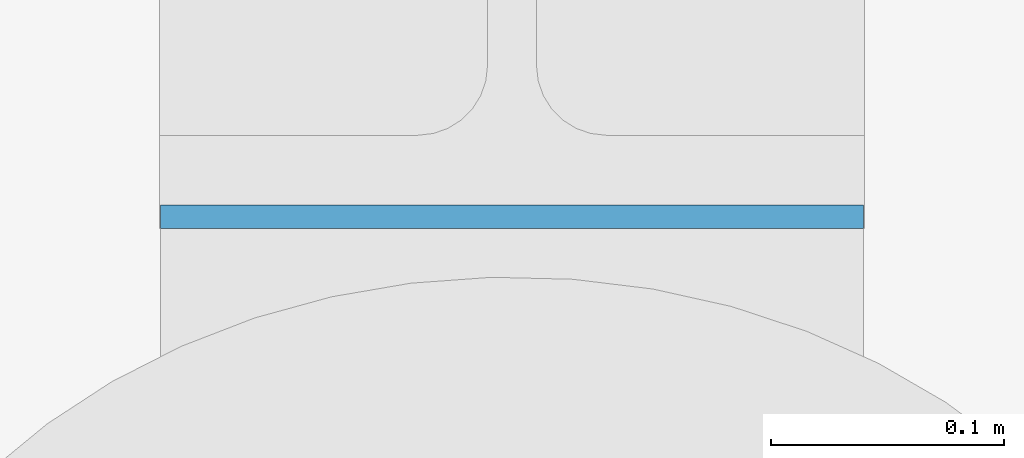
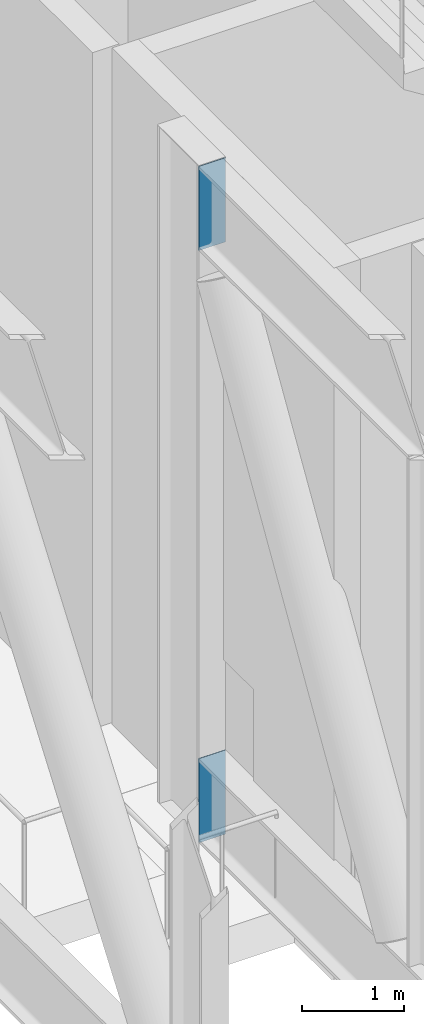
# One storey, part 16 of 33: 2 discrete accessories.
"""IFC4 building model written with IfcOpenShell, lengths in metres."""

from ifc_helpers import new_model, si_unit, direction, frame, origin, origin_2d, place, context, subcontext, project, spatial, rectangle, extrude, material, material_profile, profile_set, type_object, element, save


model = new_model("IFC4")

# Units and contexts
model_context = context("Model", 3, precision=1e-05, world=origin(), true_north=direction((0.0, 1.0)))
body_context = subcontext(model_context, "Body", "Model", "MODEL_VIEW")
ifc_project = project(units=[si_unit("LENGTHUNIT", "METRE"), si_unit("AREAUNIT", "SQUARE_METRE"), si_unit("VOLUMEUNIT", "CUBIC_METRE"), si_unit("PLANEANGLEUNIT", "RADIAN"), si_unit("MASSUNIT", "GRAM", prefix="KILO")], contexts=[model_context])

# Site, building, storey
site_placement = place(None, origin())
site = spatial("IfcSite", under=ifc_project, at=site_placement, CompositionType="ELEMENT")
building_placement = place(site_placement, origin())
building = spatial("IfcBuilding", under=site, at=building_placement, Name="Wharfspan Tower", CompositionType="ELEMENT")
storey_placement = place(building_placement, frame((0.0, 0.0, 33.0)))
storey = spatial("IfcBuildingStorey", under=building, at=storey_placement, Name="L05", CompositionType="ELEMENT", Elevation=33.0)

# Discrete accessories
ifc_material = material(Name="Steel S355J2", Category="steel")
ifc_material_profile = material_profile(ifc_material, rectangle(XDim=0.302002, YDim=1.008057, at=origin_2d()))
ifc_profile_set = profile_set([ifc_material_profile], Name="Steel S355J2")
discrete_accessory_type = type_object("IfcDiscreteAccessoryType", Name="End plate HE 1000 M", PredefinedType="BRACKET", material=ifc_profile_set)
for number, where, z_axis, x_axis, name in (
    (1, (72.0, 25.49292, 7.595947), (0.0, 1.0, 0.0), (-1.0, 0.0, 0.0), "End plate HE 1000 M"),
    (2, (72.0, 25.49292, 0.503906), (0.0, 1.0, 0.0), (-1.0, 0.0, 0.0), "End plate HE 1000 M"),
):
    element("IfcDiscreteAccessory", number, at=place(storey_placement, frame(where, z_axis=z_axis, x_axis=x_axis)), inside=storey, type_object=discrete_accessory_type, Name=name, PredefinedType="BRACKET", context=body_context, shape_type="SweptSolid", body=[
        extrude(rectangle(XDim=0.302002, YDim=1.008057, at=origin_2d()), origin(), (0.0, 0.0, 1.0), 0.01001),
    ])

save(model, "model.ifc")
